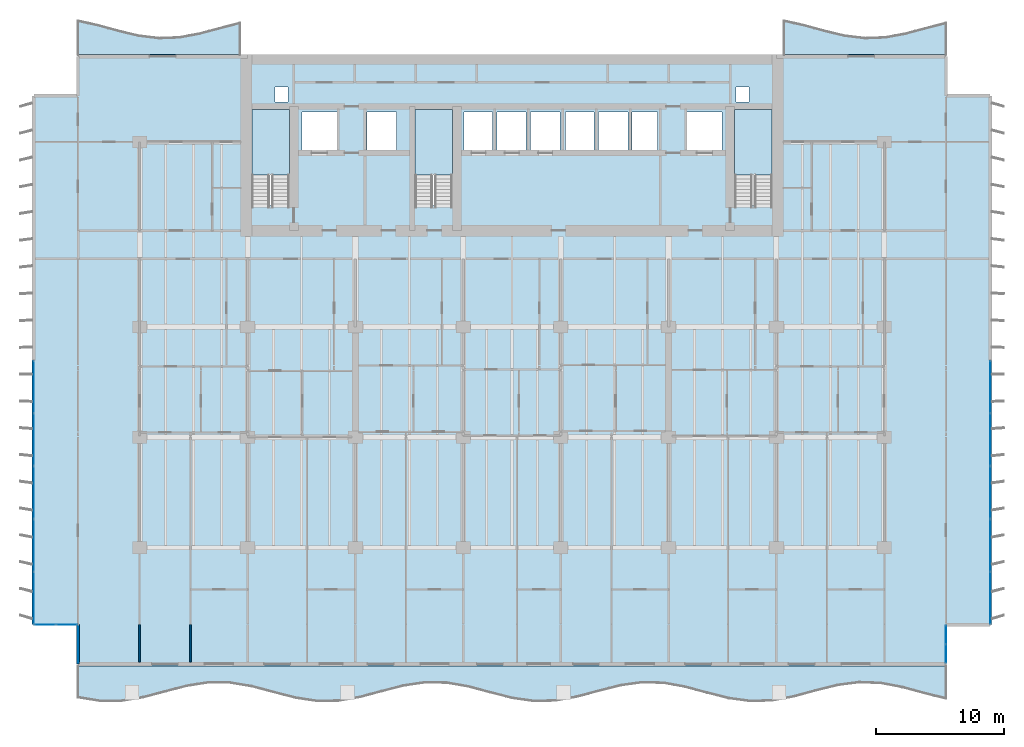
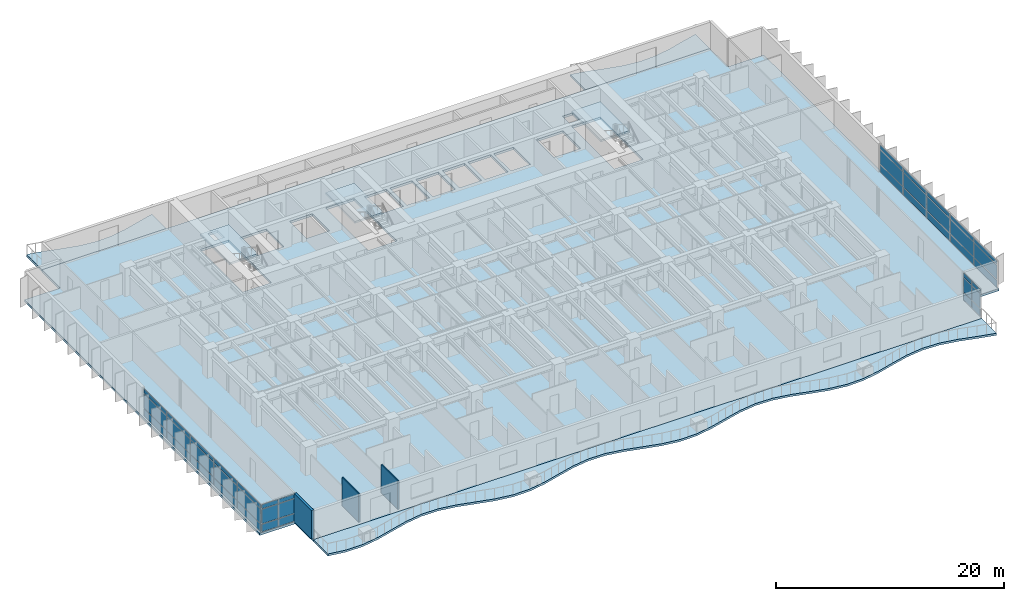
# One storey, part 5 of 19: 42 plates, 7 slabs, 3 walls, 7 elements without a shape of their own.
"""IFC4 building model written with IfcOpenShell, lengths in metres."""

from ifc_helpers import new_model, si_unit, direction, frame, frame_2d, origin, origin_2d, place, context, subcontext, project, spatial, polyline, rectangle, outline, extrude, material, layer, layer_set, type_object, element, aggregate, save


model = new_model("IFC4")

# Units and contexts
model_context = context("Model", 3, precision=1e-05, world=origin(), true_north=direction((0.0, 1.0)))
body_context = subcontext(model_context, "Body", "Model", "MODEL_VIEW")
ifc_project = project(units=[si_unit("LENGTHUNIT", "METRE"), si_unit("AREAUNIT", "SQUARE_METRE"), si_unit("VOLUMEUNIT", "CUBIC_METRE"), si_unit("PLANEANGLEUNIT", "RADIAN"), si_unit("MASSUNIT", "GRAM", prefix="KILO")], contexts=[model_context])

# Site, building, storey
site_placement = place(None, origin())
site = spatial("IfcSite", under=ifc_project, at=site_placement, CompositionType="ELEMENT")
building_placement = place(site_placement, origin())
building = spatial("IfcBuilding", under=site, at=building_placement, Name="Caelmar Bay Residences", CompositionType="ELEMENT")
storey_placement = place(building_placement, frame((0.0, 0.0, 66.300048828125)))
storey = spatial("IfcBuildingStorey", under=building, at=storey_placement, Name="L17", CompositionType="ELEMENT", Elevation=66.300048828125)

# Curtain wall, plates
ifc_material_1 = material(Name="Anodised bronze aluminium 6063-T6 and laminated glass", Category="aluminium")
ifc_layer_1 = layer(ifc_material_1, 0.179931640625)
ifc_layer_set_1 = layer_set([ifc_layer_1], Name="Anodised bronze aluminium 6063-T6 and laminated glass")
curtain_wall_type_1 = type_object("IfcCurtainWallType", Name="CW6-NTC", PredefinedType="NOTDEFINED", material=ifc_layer_set_1)
curtain_wall_1_placement = place(storey_placement, origin())
curtain_wall_1 = element("IfcCurtainWall", 1, at=curtain_wall_1_placement, inside=storey, type_object=curtain_wall_type_1, Name="CW6 curtain wall L17", PredefinedType="NOTDEFINED")
ifc_material_2 = material(Name="Bronze-tinted laminated low-E hurricane glass 28 mm", Category="glass")
ifc_layer_2 = layer(ifc_material_2, 0.028076171875)
ifc_layer_set_2 = layer_set([ifc_layer_2], Name="Bronze-tinted laminated low-E hurricane glass 28 mm")
plate_type = type_object("IfcPlateType", Name="CWP-GLZ28", PredefinedType="CURTAIN_PANEL", material=ifc_layer_set_2)
plate_1_placement = place(storey_placement, frame((2.532470703125, 6.199951171875, 0.080078125), z_axis=(0.0, 0.0, 1.0), x_axis=(1.0, 0.0, 0.0)))
plate_1 = element("IfcPlate", 2, at=plate_1_placement, type_object=plate_type, Name="CW6 panel 1.1", PredefinedType="CURTAIN_PANEL", context=body_context, shape_type="SweptSolid", body=[
    extrude(rectangle(XDim=1.60498046875, YDim=0.028076171875, at=origin_2d()), origin(), (0.0, 0.0, 1.0), 0.780029296875),
])
plate_2_placement = place(storey_placement, frame((2.532470703125, 6.199951171875, 0.93994140625), z_axis=(0.0, 0.0, 1.0), x_axis=(1.0, 0.0, 0.0)))
plate_2 = element("IfcPlate", 3, at=plate_2_placement, type_object=plate_type, Name="CW6 panel 1.2", PredefinedType="CURTAIN_PANEL", context=body_context, shape_type="SweptSolid", body=[
    extrude(rectangle(XDim=1.60498046875, YDim=0.028076171875, at=origin_2d()), origin(), (0.0, 0.0, 1.0), 1.52001953125),
])
plate_3_placement = place(storey_placement, frame((2.532470703125, 6.199951171875, 2.5400390625), z_axis=(0.0, 0.0, 1.0), x_axis=(1.0, 0.0, 0.0)))
plate_3 = element("IfcPlate", 4, at=plate_3_placement, type_object=plate_type, Name="CW6 panel 1.3", PredefinedType="CURTAIN_PANEL", context=body_context, shape_type="SweptSolid", body=[
    extrude(rectangle(XDim=1.60498046875, YDim=0.028076171875, at=origin_2d()), origin(), (0.0, 0.0, 1.0), 0.429931640625),
])
plate_4_placement = place(storey_placement, frame((4.217529296875, 6.199951171875, 0.080078125), z_axis=(0.0, 0.0, 1.0), x_axis=(1.0, 0.0, 0.0)))
plate_4 = element("IfcPlate", 5, at=plate_4_placement, type_object=plate_type, Name="CW6 panel 2.1", PredefinedType="CURTAIN_PANEL", context=body_context, shape_type="SweptSolid", body=[
    extrude(rectangle(XDim=1.60498046875, YDim=0.028076171875, at=origin_2d()), origin(), (0.0, 0.0, 1.0), 0.780029296875),
])
plate_5_placement = place(storey_placement, frame((4.217529296875, 6.199951171875, 0.93994140625), z_axis=(0.0, 0.0, 1.0), x_axis=(1.0, 0.0, 0.0)))
plate_5 = element("IfcPlate", 6, at=plate_5_placement, type_object=plate_type, Name="CW6 panel 2.2", PredefinedType="CURTAIN_PANEL", context=body_context, shape_type="SweptSolid", body=[
    extrude(rectangle(XDim=1.60498046875, YDim=0.028076171875, at=origin_2d()), origin(), (0.0, 0.0, 1.0), 1.52001953125),
])
plate_6_placement = place(storey_placement, frame((4.217529296875, 6.199951171875, 2.5400390625), z_axis=(0.0, 0.0, 1.0), x_axis=(1.0, 0.0, 0.0)))
plate_6 = element("IfcPlate", 7, at=plate_6_placement, type_object=plate_type, Name="CW6 panel 2.3", PredefinedType="CURTAIN_PANEL", context=body_context, shape_type="SweptSolid", body=[
    extrude(rectangle(XDim=1.60498046875, YDim=0.028076171875, at=origin_2d()), origin(), (0.0, 0.0, 1.0), 0.429931640625),
])
aggregate(curtain_wall_1, [plate_1, plate_2, plate_3, plate_4, plate_5, plate_6])

curtain_wall_2_placement = place(storey_placement, origin())
curtain_wall_2 = element("IfcCurtainWall", 8, at=curtain_wall_2_placement, inside=storey, type_object=curtain_wall_type_1, Name="CW6 curtain wall L17", PredefinedType="NOTDEFINED")
plate_7_placement = place(storey_placement, frame((72.699951171875, 3.9326171875, 0.080078125), z_axis=(0.0, 0.0, 1.0), x_axis=(0.0, 1.0, 0.0)))
plate_7 = element("IfcPlate", 9, at=plate_7_placement, type_object=plate_type, Name="CW6 panel 1.1", PredefinedType="CURTAIN_PANEL", context=body_context, shape_type="SweptSolid", body=[
    extrude(rectangle(XDim=1.405029296875, YDim=0.028076171875, at=origin_2d()), origin(), (0.0, 0.0, 1.0), 0.780029296875),
])
plate_8_placement = place(storey_placement, frame((72.699951171875, 3.9326171875, 0.93994140625), z_axis=(0.0, 0.0, 1.0), x_axis=(0.0, 1.0, 0.0)))
plate_8 = element("IfcPlate", 10, at=plate_8_placement, type_object=plate_type, Name="CW6 panel 1.2", PredefinedType="CURTAIN_PANEL", context=body_context, shape_type="SweptSolid", body=[
    extrude(rectangle(XDim=1.405029296875, YDim=0.028076171875, at=origin_2d()), origin(), (0.0, 0.0, 1.0), 1.52001953125),
])
plate_9_placement = place(storey_placement, frame((72.699951171875, 3.9326171875, 2.5400390625), z_axis=(0.0, 0.0, 1.0), x_axis=(0.0, 1.0, 0.0)))
plate_9 = element("IfcPlate", 11, at=plate_9_placement, type_object=plate_type, Name="CW6 panel 1.3", PredefinedType="CURTAIN_PANEL", context=body_context, shape_type="SweptSolid", body=[
    extrude(rectangle(XDim=1.405029296875, YDim=0.028076171875, at=origin_2d()), origin(), (0.0, 0.0, 1.0), 0.429931640625),
])
plate_10_placement = place(storey_placement, frame((72.699951171875, 5.41748046875, 0.080078125), z_axis=(0.0, 0.0, 1.0), x_axis=(0.0, 1.0, 0.0)))
plate_10 = element("IfcPlate", 12, at=plate_10_placement, type_object=plate_type, Name="CW6 panel 2.1", PredefinedType="CURTAIN_PANEL", context=body_context, shape_type="SweptSolid", body=[
    extrude(rectangle(XDim=1.405029296875, YDim=0.028076171875, at=origin_2d()), origin(), (0.0, 0.0, 1.0), 0.780029296875),
])
plate_11_placement = place(storey_placement, frame((72.699951171875, 5.41748046875, 0.93994140625), z_axis=(0.0, 0.0, 1.0), x_axis=(0.0, 1.0, 0.0)))
plate_11 = element("IfcPlate", 13, at=plate_11_placement, type_object=plate_type, Name="CW6 panel 2.2", PredefinedType="CURTAIN_PANEL", context=body_context, shape_type="SweptSolid", body=[
    extrude(rectangle(XDim=1.405029296875, YDim=0.028076171875, at=origin_2d()), origin(), (0.0, 0.0, 1.0), 1.52001953125),
])
plate_12_placement = place(storey_placement, frame((72.699951171875, 5.41748046875, 2.5400390625), z_axis=(0.0, 0.0, 1.0), x_axis=(0.0, 1.0, 0.0)))
plate_12 = element("IfcPlate", 14, at=plate_12_placement, type_object=plate_type, Name="CW6 panel 2.3", PredefinedType="CURTAIN_PANEL", context=body_context, shape_type="SweptSolid", body=[
    extrude(rectangle(XDim=1.405029296875, YDim=0.028076171875, at=origin_2d()), origin(), (0.0, 0.0, 1.0), 0.429931640625),
])
aggregate(curtain_wall_2, [plate_7, plate_8, plate_9, plate_10, plate_11, plate_12])

ifc_layer_3 = layer(ifc_material_1, 0.179931640625)
ifc_layer_set_3 = layer_set([ifc_layer_3], Name="Anodised bronze aluminium 6063-T6 and laminated glass")
curtain_wall_type_2 = type_object("IfcCurtainWallType", Name="CW2-Z1", PredefinedType="NOTDEFINED", material=ifc_layer_set_3)
curtain_wall_3_placement = place(storey_placement, origin())
curtain_wall_3 = element("IfcCurtainWall", 15, at=curtain_wall_3_placement, inside=storey, type_object=curtain_wall_type_2, Name="CW2 curtain wall L17", PredefinedType="NOTDEFINED")
plate_13_placement = place(storey_placement, frame((1.64990234375, 8.280029296875, 0.080078125), z_axis=(0.0, 0.0, 1.0), x_axis=(0.0, 1.0, 0.0)))
plate_13 = element("IfcPlate", 16, at=plate_13_placement, type_object=plate_type, Name="CW2 panel 1.1", PredefinedType="CURTAIN_PANEL", context=body_context, shape_type="SweptSolid", body=[
    extrude(rectangle(XDim=4.0, YDim=0.028076171875, at=origin_2d()), origin(), (0.0, 0.0, 1.0), 0.780029296875),
])
plate_14_placement = place(storey_placement, frame((1.64990234375, 8.280029296875, 0.93994140625), z_axis=(0.0, 0.0, 1.0), x_axis=(0.0, 1.0, 0.0)))
plate_14 = element("IfcPlate", 17, at=plate_14_placement, type_object=plate_type, Name="CW2 panel 1.2", PredefinedType="CURTAIN_PANEL", context=body_context, shape_type="SweptSolid", body=[
    extrude(rectangle(XDim=4.0, YDim=0.028076171875, at=origin_2d()), origin(), (0.0, 0.0, 1.0), 1.52001953125),
])
plate_15_placement = place(storey_placement, frame((1.64990234375, 8.280029296875, 2.5400390625), z_axis=(0.0, 0.0, 1.0), x_axis=(0.0, 1.0, 0.0)))
plate_15 = element("IfcPlate", 18, at=plate_15_placement, type_object=plate_type, Name="CW2 panel 1.3", PredefinedType="CURTAIN_PANEL", context=body_context, shape_type="SweptSolid", body=[
    extrude(rectangle(XDim=4.0, YDim=0.028076171875, at=origin_2d()), origin(), (0.0, 0.0, 1.0), 0.429931640625),
])
plate_16_placement = place(storey_placement, frame((1.64990234375, 12.3798828125, 0.080078125), z_axis=(0.0, 0.0, 1.0), x_axis=(0.0, 1.0, 0.0)))
plate_16 = element("IfcPlate", 19, at=plate_16_placement, type_object=plate_type, Name="CW2 panel 2.1", PredefinedType="CURTAIN_PANEL", context=body_context, shape_type="SweptSolid", body=[
    extrude(rectangle(XDim=4.0400390625, YDim=0.028076171875, at=origin_2d()), origin(), (0.0, 0.0, 1.0), 0.780029296875),
])
plate_17_placement = place(storey_placement, frame((1.64990234375, 12.3798828125, 0.93994140625), z_axis=(0.0, 0.0, 1.0), x_axis=(0.0, 1.0, 0.0)))
plate_17 = element("IfcPlate", 20, at=plate_17_placement, type_object=plate_type, Name="CW2 panel 2.2", PredefinedType="CURTAIN_PANEL", context=body_context, shape_type="SweptSolid", body=[
    extrude(rectangle(XDim=4.0400390625, YDim=0.028076171875, at=origin_2d()), origin(), (0.0, 0.0, 1.0), 1.52001953125),
])
plate_18_placement = place(storey_placement, frame((1.64990234375, 12.3798828125, 2.5400390625), z_axis=(0.0, 0.0, 1.0), x_axis=(0.0, 1.0, 0.0)))
plate_18 = element("IfcPlate", 21, at=plate_18_placement, type_object=plate_type, Name="CW2 panel 2.3", PredefinedType="CURTAIN_PANEL", context=body_context, shape_type="SweptSolid", body=[
    extrude(rectangle(XDim=4.0400390625, YDim=0.028076171875, at=origin_2d()), origin(), (0.0, 0.0, 1.0), 0.429931640625),
])
plate_19_placement = place(storey_placement, frame((1.64990234375, 16.5, 0.080078125), z_axis=(0.0, 0.0, 1.0), x_axis=(0.0, 1.0, 0.0)))
plate_19 = element("IfcPlate", 22, at=plate_19_placement, type_object=plate_type, Name="CW2 panel 3.1", PredefinedType="CURTAIN_PANEL", context=body_context, shape_type="SweptSolid", body=[
    extrude(rectangle(XDim=4.0400390625, YDim=0.028076171875, at=origin_2d()), origin(), (0.0, 0.0, 1.0), 0.780029296875),
])
plate_20_placement = place(storey_placement, frame((1.64990234375, 16.5, 0.93994140625), z_axis=(0.0, 0.0, 1.0), x_axis=(0.0, 1.0, 0.0)))
plate_20 = element("IfcPlate", 23, at=plate_20_placement, type_object=plate_type, Name="CW2 panel 3.2", PredefinedType="CURTAIN_PANEL", context=body_context, shape_type="SweptSolid", body=[
    extrude(rectangle(XDim=4.0400390625, YDim=0.028076171875, at=origin_2d()), origin(), (0.0, 0.0, 1.0), 1.52001953125),
])
plate_21_placement = place(storey_placement, frame((1.64990234375, 16.5, 2.5400390625), z_axis=(0.0, 0.0, 1.0), x_axis=(0.0, 1.0, 0.0)))
plate_21 = element("IfcPlate", 24, at=plate_21_placement, type_object=plate_type, Name="CW2 panel 3.3", PredefinedType="CURTAIN_PANEL", context=body_context, shape_type="SweptSolid", body=[
    extrude(rectangle(XDim=4.0400390625, YDim=0.028076171875, at=origin_2d()), origin(), (0.0, 0.0, 1.0), 0.429931640625),
])
plate_22_placement = place(storey_placement, frame((1.64990234375, 20.6201171875, 0.080078125), z_axis=(0.0, 0.0, 1.0), x_axis=(0.0, 1.0, 0.0)))
plate_22 = element("IfcPlate", 25, at=plate_22_placement, type_object=plate_type, Name="CW2 panel 4.1", PredefinedType="CURTAIN_PANEL", context=body_context, shape_type="SweptSolid", body=[
    extrude(rectangle(XDim=4.0400390625, YDim=0.028076171875, at=origin_2d()), origin(), (0.0, 0.0, 1.0), 0.780029296875),
])
plate_23_placement = place(storey_placement, frame((1.64990234375, 20.6201171875, 0.93994140625), z_axis=(0.0, 0.0, 1.0), x_axis=(0.0, 1.0, 0.0)))
plate_23 = element("IfcPlate", 26, at=plate_23_placement, type_object=plate_type, Name="CW2 panel 4.2", PredefinedType="CURTAIN_PANEL", context=body_context, shape_type="SweptSolid", body=[
    extrude(rectangle(XDim=4.0400390625, YDim=0.028076171875, at=origin_2d()), origin(), (0.0, 0.0, 1.0), 1.52001953125),
])
plate_24_placement = place(storey_placement, frame((1.64990234375, 20.6201171875, 2.5400390625), z_axis=(0.0, 0.0, 1.0), x_axis=(0.0, 1.0, 0.0)))
plate_24 = element("IfcPlate", 27, at=plate_24_placement, type_object=plate_type, Name="CW2 panel 4.3", PredefinedType="CURTAIN_PANEL", context=body_context, shape_type="SweptSolid", body=[
    extrude(rectangle(XDim=4.0400390625, YDim=0.028076171875, at=origin_2d()), origin(), (0.0, 0.0, 1.0), 0.429931640625),
])
plate_25_placement = place(storey_placement, frame((1.64990234375, 24.719970703125, 0.080078125), z_axis=(0.0, 0.0, 1.0), x_axis=(0.0, 1.0, 0.0)))
plate_25 = element("IfcPlate", 28, at=plate_25_placement, type_object=plate_type, Name="CW2 panel 5.1", PredefinedType="CURTAIN_PANEL", context=body_context, shape_type="SweptSolid", body=[
    extrude(rectangle(XDim=4.0, YDim=0.028076171875, at=origin_2d()), origin(), (0.0, 0.0, 1.0), 0.780029296875),
])
plate_26_placement = place(storey_placement, frame((1.64990234375, 24.719970703125, 0.93994140625), z_axis=(0.0, 0.0, 1.0), x_axis=(0.0, 1.0, 0.0)))
plate_26 = element("IfcPlate", 29, at=plate_26_placement, type_object=plate_type, Name="CW2 panel 5.2", PredefinedType="CURTAIN_PANEL", context=body_context, shape_type="SweptSolid", body=[
    extrude(rectangle(XDim=4.0, YDim=0.028076171875, at=origin_2d()), origin(), (0.0, 0.0, 1.0), 1.52001953125),
])
plate_27_placement = place(storey_placement, frame((1.64990234375, 24.719970703125, 2.5400390625), z_axis=(0.0, 0.0, 1.0), x_axis=(0.0, 1.0, 0.0)))
plate_27 = element("IfcPlate", 30, at=plate_27_placement, type_object=plate_type, Name="CW2 panel 5.3", PredefinedType="CURTAIN_PANEL", context=body_context, shape_type="SweptSolid", body=[
    extrude(rectangle(XDim=4.0, YDim=0.028076171875, at=origin_2d()), origin(), (0.0, 0.0, 1.0), 0.429931640625),
])
aggregate(curtain_wall_3, [plate_13, plate_14, plate_15, plate_16, plate_17, plate_18, plate_19, plate_20, plate_21, plate_22, plate_23, plate_24, plate_25, plate_26, plate_27])

curtain_wall_4_placement = place(storey_placement, origin())
curtain_wall_4 = element("IfcCurtainWall", 31, at=curtain_wall_4_placement, inside=storey, type_object=curtain_wall_type_2, Name="CW2 curtain wall L17", PredefinedType="NOTDEFINED")
plate_28_placement = place(storey_placement, frame((76.14990234375, 24.719970703125, 0.080078125), z_axis=(0.0, 0.0, 1.0), x_axis=(0.0, -1.0, 0.0)))
plate_28 = element("IfcPlate", 32, at=plate_28_placement, type_object=plate_type, Name="CW2 panel 1.1", PredefinedType="CURTAIN_PANEL", context=body_context, shape_type="SweptSolid", body=[
    extrude(rectangle(XDim=4.0, YDim=0.028076171875, at=origin_2d()), origin(), (0.0, 0.0, 1.0), 0.780029296875),
])
plate_29_placement = place(storey_placement, frame((76.14990234375, 24.719970703125, 0.93994140625), z_axis=(0.0, 0.0, 1.0), x_axis=(0.0, -1.0, 0.0)))
plate_29 = element("IfcPlate", 33, at=plate_29_placement, type_object=plate_type, Name="CW2 panel 1.2", PredefinedType="CURTAIN_PANEL", context=body_context, shape_type="SweptSolid", body=[
    extrude(rectangle(XDim=4.0, YDim=0.028076171875, at=origin_2d()), origin(), (0.0, 0.0, 1.0), 1.52001953125),
])
plate_30_placement = place(storey_placement, frame((76.14990234375, 24.719970703125, 2.5400390625), z_axis=(0.0, 0.0, 1.0), x_axis=(0.0, -1.0, 0.0)))
plate_30 = element("IfcPlate", 34, at=plate_30_placement, type_object=plate_type, Name="CW2 panel 1.3", PredefinedType="CURTAIN_PANEL", context=body_context, shape_type="SweptSolid", body=[
    extrude(rectangle(XDim=4.0, YDim=0.028076171875, at=origin_2d()), origin(), (0.0, 0.0, 1.0), 0.429931640625),
])
plate_31_placement = place(storey_placement, frame((76.14990234375, 20.6201171875, 0.080078125), z_axis=(0.0, 0.0, 1.0), x_axis=(0.0, -1.0, 0.0)))
plate_31 = element("IfcPlate", 35, at=plate_31_placement, type_object=plate_type, Name="CW2 panel 2.1", PredefinedType="CURTAIN_PANEL", context=body_context, shape_type="SweptSolid", body=[
    extrude(rectangle(XDim=4.0400390625, YDim=0.028076171875, at=origin_2d()), origin(), (0.0, 0.0, 1.0), 0.780029296875),
])
plate_32_placement = place(storey_placement, frame((76.14990234375, 20.6201171875, 0.93994140625), z_axis=(0.0, 0.0, 1.0), x_axis=(0.0, -1.0, 0.0)))
plate_32 = element("IfcPlate", 36, at=plate_32_placement, type_object=plate_type, Name="CW2 panel 2.2", PredefinedType="CURTAIN_PANEL", context=body_context, shape_type="SweptSolid", body=[
    extrude(rectangle(XDim=4.0400390625, YDim=0.028076171875, at=origin_2d()), origin(), (0.0, 0.0, 1.0), 1.52001953125),
])
plate_33_placement = place(storey_placement, frame((76.14990234375, 20.6201171875, 2.5400390625), z_axis=(0.0, 0.0, 1.0), x_axis=(0.0, -1.0, 0.0)))
plate_33 = element("IfcPlate", 37, at=plate_33_placement, type_object=plate_type, Name="CW2 panel 2.3", PredefinedType="CURTAIN_PANEL", context=body_context, shape_type="SweptSolid", body=[
    extrude(rectangle(XDim=4.0400390625, YDim=0.028076171875, at=origin_2d()), origin(), (0.0, 0.0, 1.0), 0.429931640625),
])
plate_34_placement = place(storey_placement, frame((76.14990234375, 16.5, 0.080078125), z_axis=(0.0, 0.0, 1.0), x_axis=(0.0, -1.0, 0.0)))
plate_34 = element("IfcPlate", 38, at=plate_34_placement, type_object=plate_type, Name="CW2 panel 3.1", PredefinedType="CURTAIN_PANEL", context=body_context, shape_type="SweptSolid", body=[
    extrude(rectangle(XDim=4.0400390625, YDim=0.028076171875, at=origin_2d()), origin(), (0.0, 0.0, 1.0), 0.780029296875),
])
plate_35_placement = place(storey_placement, frame((76.14990234375, 16.5, 0.93994140625), z_axis=(0.0, 0.0, 1.0), x_axis=(0.0, -1.0, 0.0)))
plate_35 = element("IfcPlate", 39, at=plate_35_placement, type_object=plate_type, Name="CW2 panel 3.2", PredefinedType="CURTAIN_PANEL", context=body_context, shape_type="SweptSolid", body=[
    extrude(rectangle(XDim=4.0400390625, YDim=0.028076171875, at=origin_2d()), origin(), (0.0, 0.0, 1.0), 1.52001953125),
])
plate_36_placement = place(storey_placement, frame((76.14990234375, 16.5, 2.5400390625), z_axis=(0.0, 0.0, 1.0), x_axis=(0.0, -1.0, 0.0)))
plate_36 = element("IfcPlate", 40, at=plate_36_placement, type_object=plate_type, Name="CW2 panel 3.3", PredefinedType="CURTAIN_PANEL", context=body_context, shape_type="SweptSolid", body=[
    extrude(rectangle(XDim=4.0400390625, YDim=0.028076171875, at=origin_2d()), origin(), (0.0, 0.0, 1.0), 0.429931640625),
])
plate_37_placement = place(storey_placement, frame((76.14990234375, 12.3798828125, 0.080078125), z_axis=(0.0, 0.0, 1.0), x_axis=(0.0, -1.0, 0.0)))
plate_37 = element("IfcPlate", 41, at=plate_37_placement, type_object=plate_type, Name="CW2 panel 4.1", PredefinedType="CURTAIN_PANEL", context=body_context, shape_type="SweptSolid", body=[
    extrude(rectangle(XDim=4.0400390625, YDim=0.028076171875, at=origin_2d()), origin(), (0.0, 0.0, 1.0), 0.780029296875),
])
plate_38_placement = place(storey_placement, frame((76.14990234375, 12.3798828125, 0.93994140625), z_axis=(0.0, 0.0, 1.0), x_axis=(0.0, -1.0, 0.0)))
plate_38 = element("IfcPlate", 42, at=plate_38_placement, type_object=plate_type, Name="CW2 panel 4.2", PredefinedType="CURTAIN_PANEL", context=body_context, shape_type="SweptSolid", body=[
    extrude(rectangle(XDim=4.0400390625, YDim=0.028076171875, at=origin_2d()), origin(), (0.0, 0.0, 1.0), 1.52001953125),
])
plate_39_placement = place(storey_placement, frame((76.14990234375, 12.3798828125, 2.5400390625), z_axis=(0.0, 0.0, 1.0), x_axis=(0.0, -1.0, 0.0)))
plate_39 = element("IfcPlate", 43, at=plate_39_placement, type_object=plate_type, Name="CW2 panel 4.3", PredefinedType="CURTAIN_PANEL", context=body_context, shape_type="SweptSolid", body=[
    extrude(rectangle(XDim=4.0400390625, YDim=0.028076171875, at=origin_2d()), origin(), (0.0, 0.0, 1.0), 0.429931640625),
])
plate_40_placement = place(storey_placement, frame((76.14990234375, 8.280029296875, 0.080078125), z_axis=(0.0, 0.0, 1.0), x_axis=(0.0, -1.0, 0.0)))
plate_40 = element("IfcPlate", 44, at=plate_40_placement, type_object=plate_type, Name="CW2 panel 5.1", PredefinedType="CURTAIN_PANEL", context=body_context, shape_type="SweptSolid", body=[
    extrude(rectangle(XDim=4.0, YDim=0.028076171875, at=origin_2d()), origin(), (0.0, 0.0, 1.0), 0.780029296875),
])
plate_41_placement = place(storey_placement, frame((76.14990234375, 8.280029296875, 0.93994140625), z_axis=(0.0, 0.0, 1.0), x_axis=(0.0, -1.0, 0.0)))
plate_41 = element("IfcPlate", 45, at=plate_41_placement, type_object=plate_type, Name="CW2 panel 5.2", PredefinedType="CURTAIN_PANEL", context=body_context, shape_type="SweptSolid", body=[
    extrude(rectangle(XDim=4.0, YDim=0.028076171875, at=origin_2d()), origin(), (0.0, 0.0, 1.0), 1.52001953125),
])
plate_42_placement = place(storey_placement, frame((76.14990234375, 8.280029296875, 2.5400390625), z_axis=(0.0, 0.0, 1.0), x_axis=(0.0, -1.0, 0.0)))
plate_42 = element("IfcPlate", 46, at=plate_42_placement, type_object=plate_type, Name="CW2 panel 5.3", PredefinedType="CURTAIN_PANEL", context=body_context, shape_type="SweptSolid", body=[
    extrude(rectangle(XDim=4.0, YDim=0.028076171875, at=origin_2d()), origin(), (0.0, 0.0, 1.0), 0.429931640625),
])
aggregate(curtain_wall_4, [plate_28, plate_29, plate_30, plate_31, plate_32, plate_33, plate_34, plate_35, plate_36, plate_37, plate_38, plate_39, plate_40, plate_41, plate_42])

# Slabs
ifc_material_3 = material(Name="Concrete f'c 40 MPa (6,000 psi)", Category="concrete")
ifc_layer_4 = layer(ifc_material_3, 0.219970703125)
ifc_layer_set_4 = layer_set([ifc_layer_4], Name="Concrete f'c 40 MPa (6,000 psi)")
slab_type_1 = type_object("IfcSlabType", Name="SLB-BAL-220", PredefinedType="FLOOR", material=ifc_layer_set_4)
slab_1_placement = place(storey_placement, frame((0.0, 0.0, -0.219970703125)))
element("IfcSlab", 47, at=slab_1_placement, inside=storey, type_object=slab_type_1, Name="L17 Sinusoidal Tree-Balcony Slab south", PredefinedType="FLOOR", context=body_context, shape_type="SweptSolid", body=[
    extrude(outline(polyline([(5.10009765625, 0.459228515625), (6.7900390625, 0.185791015625), (8.47998046875, 0.1884765625), (10.169921875, 0.466064453125), (11.860107421875, 0.9111328125), (13.550048828125, 1.35205078125), (15.239990234375, 1.618408203125), (16.929931640625, 1.60693359375), (18.6201171875, 1.322509765625), (20.31005859375, 0.874755859375), (22.0, 0.436767578125), (23.68994140625, 0.177734375), (25.3798828125, 0.19775390625), (27.070068359375, 0.4892578125), (28.760009765625, 0.939208984375), (30.449951171875, 1.374267578125), (32.139892578125, 1.6259765625), (33.830078125, 1.59716796875), (35.52001953125, 1.299072265625), (37.2099609375, 0.8466796875), (38.89990234375, 0.4150390625), (40.590087890625, 0.170654296875), (42.280029296875, 0.208251953125), (43.969970703125, 0.512939453125), (45.659912109375, 0.96728515625), (47.35009765625, 1.3955078125), (49.0400390625, 1.63232421875), (50.72998046875, 1.586181640625), (52.419921875, 1.27490234375), (54.110107421875, 0.81884765625), (55.800048828125, 0.39404296875), (57.489990234375, 0.164794921875), (59.179931640625, 0.219482421875), (60.8701171875, 0.537109375), (62.56005859375, 0.9951171875), (64.25, 1.416259765625), (65.93994140625, 1.637939453125), (67.6298828125, 1.574462890625), (69.320068359375, 1.25048828125), (71.010009765625, 0.791015625), (72.699951171875, 0.373779296875), (72.699951171875, 3.0), (5.10009765625, 3.0), (5.10009765625, 0.459228515625)])), origin(), (0.0, 0.0, 1.0), 0.219970703125),
])
slab_2_placement = place(storey_placement, frame((0.0, 0.0, -0.219970703125)))
element("IfcSlab", 48, at=slab_2_placement, inside=storey, type_object=slab_type_1, Name="L17 Sinusoidal Tree-Balcony Slab north_west", PredefinedType="FLOOR", context=body_context, shape_type="SweptSolid", body=[
    extrude(outline(polyline([(5.10009765625, 50.60009765625), (17.699951171875, 50.60009765625), (17.699951171875, 53.140869140625), (16.125, 52.7294921875), (14.550048828125, 52.30810546875), (12.97509765625, 52.018798828125), (11.39990234375, 51.959228515625), (9.824951171875, 52.1494140625), (8.25, 52.52490234375), (6.675048828125, 52.959716796875), (5.10009765625, 53.306884765625), (5.10009765625, 50.60009765625)])), origin(), (0.0, 0.0, 1.0), 0.219970703125),
])
slab_3_placement = place(storey_placement, frame((0.0, 0.0, -0.219970703125)))
element("IfcSlab", 49, at=slab_3_placement, inside=storey, type_object=slab_type_1, Name="L17 Sinusoidal Tree-Balcony Slab north_east", PredefinedType="FLOOR", context=body_context, shape_type="SweptSolid", body=[
    extrude(outline(polyline([(60.10009765625, 50.60009765625), (72.699951171875, 50.60009765625), (72.699951171875, 53.140869140625), (71.125, 52.7294921875), (69.550048828125, 52.30810546875), (67.97509765625, 52.018798828125), (66.39990234375, 51.959228515625), (64.824951171875, 52.1494140625), (63.25, 52.52490234375), (61.675048828125, 52.959716796875), (60.10009765625, 53.306884765625), (60.10009765625, 50.60009765625)])), origin(), (0.0, 0.0, 1.0), 0.219970703125),
])

# Stair, slab
stair_type = type_object("IfcStairType", Name="ST-TYP-165", PredefinedType="HALF_TURN_STAIR", material=ifc_material_3)
stair_1_placement = place(storey_placement, origin())
stair_1 = element("IfcStair", 50, at=stair_1_placement, inside=storey, type_object=stair_type, Name="L17 West Smokeproof Exit Stair ST1", PredefinedType="HALF_TURN_STAIR")
ifc_layer_5 = layer(ifc_material_3, 0.199951171875)
ifc_layer_set_5 = layer_set([ifc_layer_5], Name="Concrete f'c 40 MPa (6,000 psi)")
slab_type_2 = type_object("IfcSlabType", Name="SLB-LND-200", PredefinedType="LANDING", material=ifc_layer_set_5)
slab_4_placement = place(storey_placement, frame((0.0, 0.0, 1.449951171875)))
slab_4 = element("IfcSlab", 51, at=slab_4_placement, type_object=slab_type_2, Name="ST1 landing 1", PredefinedType="LANDING", context=body_context, shape_type="SweptSolid", body=[
    extrude(outline(polyline([(21.550048828125, 41.219970703125), (21.550048828125, 46.35009765625), (18.64990234375, 46.35009765625), (18.64990234375, 41.219970703125), (21.550048828125, 41.219970703125)])), origin(), (0.0, 0.0, 1.0), 0.199951171875),
])
aggregate(stair_1, [slab_4])

stair_2_placement = place(storey_placement, origin())
stair_2 = element("IfcStair", 52, at=stair_2_placement, inside=storey, type_object=stair_type, Name="L17 East Smokeproof Exit Stair ST2", PredefinedType="HALF_TURN_STAIR")
slab_5_placement = place(storey_placement, frame((0.0, 0.0, 1.449951171875)))
slab_5 = element("IfcSlab", 53, at=slab_5_placement, type_object=slab_type_2, Name="ST2 landing 1", PredefinedType="LANDING", context=body_context, shape_type="SweptSolid", body=[
    extrude(outline(polyline([(59.14990234375, 41.219970703125), (59.14990234375, 46.35009765625), (56.25, 46.35009765625), (56.25, 41.219970703125), (59.14990234375, 41.219970703125)])), origin(), (0.0, 0.0, 1.0), 0.199951171875),
])
aggregate(stair_2, [slab_5])

stair_3_placement = place(storey_placement, origin())
stair_3 = element("IfcStair", 54, at=stair_3_placement, inside=storey, type_object=stair_type, Name="L17 Central Smokeproof Exit Stair ST3", PredefinedType="HALF_TURN_STAIR")
slab_6_placement = place(storey_placement, frame((0.0, 0.0, 1.449951171875)))
slab_6 = element("IfcSlab", 55, at=slab_6_placement, type_object=slab_type_2, Name="ST3 landing 1", PredefinedType="LANDING", context=body_context, shape_type="SweptSolid", body=[
    extrude(outline(polyline([(34.25, 41.219970703125), (34.25, 46.35009765625), (31.35009765625, 46.35009765625), (31.35009765625, 41.219970703125), (34.25, 41.219970703125)])), origin(), (0.0, 0.0, 1.0), 0.199951171875),
])
aggregate(stair_3, [slab_6])

# Slab
ifc_layer_6 = layer(ifc_material_3, 0.25)
ifc_layer_set_6 = layer_set([ifc_layer_6], Name="Concrete f'c 40 MPa (6,000 psi)")
slab_type_3 = type_object("IfcSlabType", Name="SLB-RES-250", PredefinedType="FLOOR", material=ifc_layer_set_6)
slab_7_placement = place(storey_placement, frame((0.0, 0.0, -0.25)))
element("IfcSlab", 56, at=slab_7_placement, inside=storey, type_object=slab_type_3, Name="L17 Structural Floor Slab", PredefinedType="FLOOR", context=body_context, shape_type="SweptSolid", body=[
    extrude(outline(polyline([(5.10009765625, 3.0), (72.699951171875, 3.0), (72.699951171875, 6.199951171875), (76.300048828125, 6.199951171875), (76.300048828125, 47.39990234375), (72.699951171875, 47.39990234375), (72.699951171875, 50.60009765625), (5.10009765625, 50.60009765625), (5.10009765625, 47.39990234375), (1.5, 47.39990234375), (1.5, 6.199951171875), (5.10009765625, 6.199951171875), (5.10009765625, 3.0)]), holes=[polyline([(18.64990234375, 38.85009765625), (21.550048828125, 38.85009765625), (21.550048828125, 46.35009765625), (18.64990234375, 46.35009765625), (18.64990234375, 38.85009765625)]), polyline([(56.25, 38.85009765625), (59.14990234375, 38.85009765625), (59.14990234375, 46.35009765625), (56.25, 46.35009765625), (56.25, 38.85009765625)]), polyline([(31.35009765625, 38.85009765625), (34.25, 38.85009765625), (34.25, 46.35009765625), (31.35009765625, 46.35009765625), (31.35009765625, 38.85009765625)]), polyline([(22.550048828125, 43.050048828125), (25.25, 43.050048828125), (25.25, 46.14990234375), (22.550048828125, 46.14990234375), (22.550048828125, 43.050048828125)]), polyline([(52.550048828125, 43.050048828125), (55.25, 43.050048828125), (55.25, 46.14990234375), (52.550048828125, 46.14990234375), (52.550048828125, 43.050048828125)]), polyline([(35.14990234375, 43.14990234375), (37.39990234375, 43.14990234375), (37.39990234375, 46.14990234375), (35.14990234375, 46.14990234375), (35.14990234375, 43.14990234375)]), polyline([(37.75, 43.14990234375), (40.0, 43.14990234375), (40.0, 46.14990234375), (37.75, 46.14990234375), (37.75, 43.14990234375)]), polyline([(40.35009765625, 43.14990234375), (42.64990234375, 43.14990234375), (42.64990234375, 46.14990234375), (40.35009765625, 46.14990234375), (40.35009765625, 43.14990234375)]), polyline([(43.050048828125, 43.14990234375), (45.300048828125, 43.14990234375), (45.300048828125, 46.14990234375), (43.050048828125, 46.14990234375), (43.050048828125, 43.14990234375)]), polyline([(45.64990234375, 43.14990234375), (47.949951171875, 43.14990234375), (47.949951171875, 46.14990234375), (45.64990234375, 46.14990234375), (45.64990234375, 43.14990234375)]), polyline([(48.25, 43.14990234375), (50.25, 43.14990234375), (50.25, 46.14990234375), (48.25, 46.14990234375), (48.25, 43.14990234375)]), polyline([(27.60009765625, 43.14990234375), (29.89990234375, 43.14990234375), (29.89990234375, 46.14990234375), (27.60009765625, 46.14990234375), (27.60009765625, 43.14990234375)]), polyline([(20.449951171875, 46.89990234375), (21.449951171875, 46.89990234375), (21.449951171875, 48.10009765625), (20.449951171875, 48.10009765625), (20.449951171875, 46.89990234375)]), polyline([(56.35009765625, 46.89990234375), (57.35009765625, 46.89990234375), (57.35009765625, 48.10009765625), (56.35009765625, 48.10009765625), (56.35009765625, 46.89990234375)])]), origin(), (0.0, 0.0, 1.0), 0.25),
])

# Walls
ifc_material_4 = material(Name="Precast concrete f'c 40 MPa (6,000 psi)", Category="concrete")
ifc_layer_7 = layer(ifc_material_4, 0.25)
ifc_layer_set_7 = layer_set([ifc_layer_7], Name="Precast concrete f'c 40 MPa (6,000 psi)")
wall_type_1 = type_object("IfcWallType", Name="W-EXT-250", PredefinedType="ELEMENTEDWALL", material=ifc_layer_set_7)
wall_placement = place(storey_placement, frame((5.10009765625, 6.199951171875, 0.0), z_axis=(0.0, 0.0, 1.0), x_axis=(0.0, -1.0, 0.0)))
element("IfcWall", 57, at=wall_placement, inside=storey, type_object=wall_type_1, Name="L17 SW Notch Return Wall", PredefinedType="ELEMENTEDWALL", context=body_context, shape_type="SweptSolid", body=[
    extrude(rectangle(XDim=3.050048828125, YDim=0.25, at=frame_2d((1.52490234375, 0.0))), origin(), (0.0, 0.0, 1.0), 3.050048828125),
])
ifc_material_5 = material(Name="Acoustic metal-stud gypsum partition 120 mm")
ifc_layer_8 = layer(ifc_material_5, 0.1201171875)
ifc_layer_set_8 = layer_set([ifc_layer_8], Name="Acoustic metal-stud gypsum partition 120 mm")
wall_type_2 = type_object("IfcWallType", Name="W-PRT-120", PredefinedType="PARTITIONING", material=ifc_layer_set_8)
for number, where, z_axis, x_axis, name in (
    (58, (9.89990234375, 3.294921875, 0.0), (0.0, 0.0, 1.0), (0.0, 1.0, 0.0), "L17 Partition Wall V008"),
    (59, (13.847900390625, 3.294921875, 0.0), (0.0, 0.0, 1.0), (0.0, 1.0, 0.0), "L17 Partition Wall V015"),
):
    element("IfcWall", number, at=place(storey_placement, frame(where, z_axis=z_axis, x_axis=x_axis)), inside=storey, type_object=wall_type_2, Name=name, PredefinedType="PARTITIONING", context=body_context, shape_type="SweptSolid", body=[
        extrude(rectangle(XDim=2.905029296875, YDim=0.1201171875, at=frame_2d((1.45263671875, 0.0))), origin(), (0.0, 0.0, 1.0), 3.050048828125),
    ])

save(model, "model.ifc")
